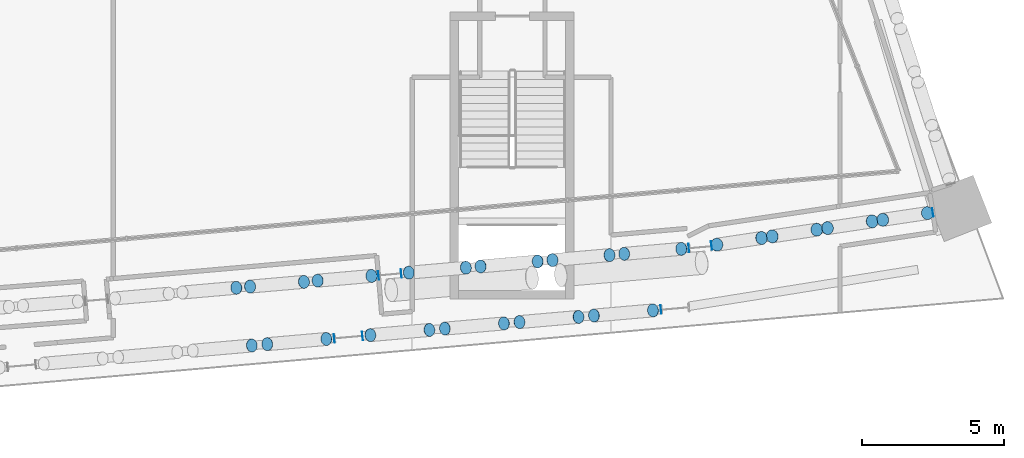
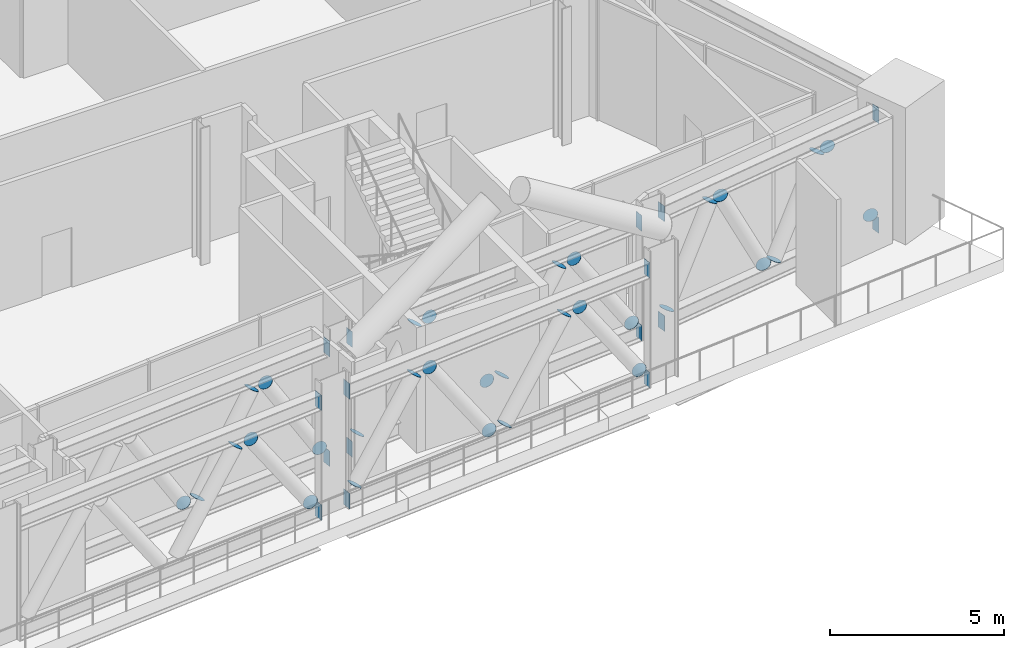
# One storey, part 32 of 39: 48 discrete accessories.
"""IFC4 building model written with IfcOpenShell, lengths in metres."""

import ifcopenshell
import ifcopenshell.guid

model = None  # the IFC model being written
_history = None  # IfcOwnerHistory: only IFC2X3 demands one
_inside = {}  # id of a spatial element -> (the spatial element, [elements in it])
_under = {}  # id of a project, library or spatial element -> (it, [spatial elements below it])
_declared = {}  # id of a project -> (the project, [libraries it declares])
_typed = {}  # id of a type object -> (the type object, [elements of that type])
_made_of = {}  # id of a material, layer set ... -> (it, [elements and type objects made of it])


def new_model(schema):
    """Start an empty IFC model of exactly this schema.

    Asked for "IFC4X3", IfcOpenShell would pick the latest addendum, in which some entities
    have other attributes; the version numbers below select the first issue.
    IFC2X3 requires an IfcOwnerHistory on every rooted entity: one is made here for all.
    """
    global model, _history
    if schema == "IFC4X3":
        model = ifcopenshell.file(schema_version=(4, 3, 0, 0))
    else:
        model = ifcopenshell.file(schema=schema)
    _inside.clear()
    _under.clear()
    _declared.clear()
    _typed.clear()
    _made_of.clear()
    _history = None
    if model.schema == "IFC2X3":
        org = make("IfcOrganization", Name="unknown")
        user = make(
            "IfcPersonAndOrganization",
            ThePerson=make("IfcPerson", FamilyName="unknown"),
            TheOrganization=org,
        )
        app = make(
            "IfcApplication",
            ApplicationDeveloper=org,
            Version="unknown",
            ApplicationFullName="unknown",
            ApplicationIdentifier="unknown",
        )
        _history = make(
            "IfcOwnerHistory",
            OwningUser=user,
            OwningApplication=app,
            ChangeAction="ADDED",
            CreationDate=0,
        )
    return model


def make(cls, **values):
    """One entity of the class cls with the attributes given. An attribute that is None is left unset."""
    return model.create_entity(
        cls, **{name: value for name, value in values.items() if value is not None}
    )


def rooted(cls, **values):
    """An entity with a GlobalId (a new one), such as an element, a storey or a relation."""
    return make(cls, GlobalId=ifcopenshell.guid.new(), OwnerHistory=_history, **values)


def si_unit(unit_type, name, prefix=None):
    """IfcSIUnit, for example si_unit("LENGTHUNIT", "METRE", prefix="MILLI")."""
    return make("IfcSIUnit", UnitType=unit_type, Prefix=prefix, Name=name)


def assignment(units):
    """IfcUnitAssignment: the units of a project."""
    return None if units is None else make("IfcUnitAssignment", Units=units)


def point(xyz):
    """IfcCartesianPoint."""
    return None if xyz is None else make("IfcCartesianPoint", Coordinates=xyz)


def direction(xyz):
    """IfcDirection."""
    return None if xyz is None else make("IfcDirection", DirectionRatios=xyz)


def frame(location, z_axis=None, x_axis=None):
    """IfcAxis2Placement3D, a coordinate frame: its origin and axes. An axis left out is left unset."""
    return make(
        "IfcAxis2Placement3D",
        Location=point(location),
        Axis=direction(z_axis),
        RefDirection=direction(x_axis),
    )


def frame_2d(location, x_axis=None):
    """IfcAxis2Placement2D, a coordinate frame in the plane: its origin and x axis."""
    return make(
        "IfcAxis2Placement2D", Location=point(location), RefDirection=direction(x_axis)
    )


def origin():
    """The frame at (0, 0, 0) with its axes left unset."""
    return frame((0.0, 0.0, 0.0))


def origin_2d():
    """The frame at (0, 0) in the plane with its x axis left unset."""
    return frame_2d((0.0, 0.0))


def place(relative_to, where):
    """IfcLocalPlacement: puts the frame where relative to a parent placement (None: the world)."""
    return make(
        "IfcLocalPlacement", PlacementRelTo=relative_to, RelativePlacement=where
    )


def context(
    kind, dimensions, precision=None, world=None, true_north=None, identifier=None
):
    """IfcGeometricRepresentationContext, for example the 3D "Model" context."""
    return make(
        "IfcGeometricRepresentationContext",
        ContextIdentifier=identifier,
        ContextType=kind,
        CoordinateSpaceDimension=dimensions,
        Precision=precision,
        WorldCoordinateSystem=world,
        TrueNorth=true_north,
    )


def subcontext(parent, identifier, kind, view, scale=None):
    """IfcGeometricRepresentationSubContext, for example "Body" below "Model"."""
    return make(
        "IfcGeometricRepresentationSubContext",
        ContextIdentifier=identifier,
        ContextType=kind,
        ParentContext=parent,
        TargetScale=scale,
        TargetView=view,
    )


def project(units=None, contexts=None):
    """IfcProject with its units and contexts."""
    return rooted(
        "IfcProject",
        Name="project",
        RepresentationContexts=contexts,
        UnitsInContext=assignment(units),
    )


def spatial(cls, under=None, at=None, **own):
    """A site, building, storey or space (cls), placed at a placement, below another one or the project."""
    s = rooted(cls, ObjectPlacement=at, **own)
    if under is not None:
        _under.setdefault(under.id(), (under, []))[1].append(s)
    return s


def profile(cls, at=None, kind="AREA", **sizes):
    """A parametric profile (cls). Its sizes go by their IFC names, for example OverallWidth=200.0."""
    return make(cls, ProfileType=kind, Position=at, **sizes)


def rectangle(**sizes):
    """IfcRectangleProfileDef."""
    return profile("IfcRectangleProfileDef", **sizes)


def circle(**sizes):
    """IfcCircleProfileDef."""
    return profile("IfcCircleProfileDef", **sizes)


def extrude(swept, where, along, depth):
    """IfcExtrudedAreaSolid: the profile swept, set in the frame where, extruded along a direction by depth."""
    return make(
        "IfcExtrudedAreaSolid",
        SweptArea=swept,
        Position=where,
        ExtrudedDirection=direction(along),
        Depth=depth,
    )


def shape(context_of_items, identifier, shape_type, items):
    """IfcShapeRepresentation: the items that make up one representation, for example the "Body"."""
    return make(
        "IfcShapeRepresentation",
        ContextOfItems=context_of_items,
        RepresentationIdentifier=identifier,
        RepresentationType=shape_type,
        Items=items,
    )


def material(Name=None, Category=None):
    """IfcMaterial."""
    return make("IfcMaterial", Name=Name, Category=Category)


def material_profile(
    of_material, cross_section, Name=None, Category=None, Priority=None
):
    """IfcMaterialProfile: a cross section and its material."""
    return make(
        "IfcMaterialProfile",
        Name=Name,
        Material=of_material,
        Profile=cross_section,
        Priority=Priority,
        Category=Category,
    )


def profile_set(profiles, Name=None, composite=None):
    """IfcMaterialProfileSet."""
    return make(
        "IfcMaterialProfileSet",
        Name=Name,
        MaterialProfiles=profiles,
        CompositeProfile=composite,
    )


def made_of(thing, what):
    """Note that an element or type object is made of a material, layer set ...; save() writes the relation."""
    if what is not None:
        _made_of.setdefault(what.id(), (what, []))[1].append(thing)
    return thing


def type_object(cls, material=None, **own):
    """A type object (cls), such as IfcWallType, which elements share."""
    return made_of(rooted(cls, **own), material)


def element(
    cls,
    number,
    at=None,
    inside=None,
    cuts=None,
    type_object=None,
    material=None,
    context=None,
    identifier="Body",
    shape_type=None,
    held_by="IfcProductDefinitionShape",
    body=None,
    shapes=None,
    **own,
):
    """One element of the class cls, such as IfcWall. Its Tag is "e" and its number.

    at: its placement. inside: the storey or other place that contains it. cuts: it is an
    opening in that element (IfcRelVoidsElement). A single representation is given by context,
    identifier, shape_type and body (its items); several are given by shapes. held_by: the class
    of the entity that holds the representations. save() writes the other relations.
    """
    e = rooted(cls, Tag="e%d" % number, ObjectPlacement=at, **own)
    if body is not None:
        shapes = [shape(context, identifier, shape_type, body)]
    if shapes is not None:
        e.Representation = make(held_by, Representations=shapes)
    if inside is not None:
        _inside.setdefault(inside.id(), (inside, []))[1].append(e)
    if cuts is not None:
        rooted(
            "IfcRelVoidsElement", RelatingBuildingElement=cuts, RelatedOpeningElement=e
        )
    if type_object is not None:
        _typed.setdefault(type_object.id(), (type_object, []))[1].append(e)
    return made_of(e, material)


def aggregate(whole, parts):
    """IfcRelAggregates: a whole, such as a stair, and the parts it consists of."""
    return rooted("IfcRelAggregates", RelatingObject=whole, RelatedObjects=parts)


def save(model, path):
    """Write the relations noted so far, then the file.

    IfcRelAggregates (storeys below a building ...), IfcRelContainedInSpatialStructure (elements
    in a storey), IfcRelDefinesByType, IfcRelAssociatesMaterial and IfcRelDeclares: one each for
    every whole, place, type object, material and project.
    """
    for whole, parts in _under.values():
        aggregate(whole, parts)
    for where, things in _inside.values():
        rooted(
            "IfcRelContainedInSpatialStructure",
            RelatedElements=things,
            RelatingStructure=where,
        )
    for kind, things in _typed.values():
        rooted("IfcRelDefinesByType", RelatedObjects=things, RelatingType=kind)
    for what, things in _made_of.values():
        rooted("IfcRelAssociatesMaterial", RelatedObjects=things, RelatingMaterial=what)
    for by, libraries in _declared.values():
        rooted("IfcRelDeclares", RelatingContext=by, RelatedDefinitions=libraries)
    model.write(path)


model = new_model("IFC4")

# Units and contexts
model_context = context("Model", 3, precision=1e-05, world=origin(), true_north=direction((0.0, 1.0)))
body_context = subcontext(model_context, "Body", "Model", "MODEL_VIEW")
ifc_project = project(units=[si_unit("LENGTHUNIT", "METRE"), si_unit("AREAUNIT", "SQUARE_METRE"), si_unit("VOLUMEUNIT", "CUBIC_METRE"), si_unit("PLANEANGLEUNIT", "RADIAN"), si_unit("MASSUNIT", "GRAM", prefix="KILO")], contexts=[model_context])

# Site, building, storey
site_placement = place(None, origin())
site = spatial("IfcSite", under=ifc_project, at=site_placement, CompositionType="ELEMENT")
building_placement = place(site_placement, origin())
building = spatial("IfcBuilding", under=site, at=building_placement, Name="Wharfspan Tower", CompositionType="ELEMENT")
storey_placement = place(building_placement, frame((0.0, 0.0, 91.899902)))
storey = spatial("IfcBuildingStorey", under=building, at=storey_placement, Name="L20", CompositionType="ELEMENT", Elevation=91.899902)

# Discrete accessories
ifc_material_1 = material(Name="Steel S460NH", Category="steel")
ifc_material_profile_1 = material_profile(ifc_material_1, circle(Radius=0.228516, at=origin_2d()))
ifc_profile_set_1 = profile_set([ifc_material_profile_1], Name="Steel S460NH")
discrete_accessory_type_1 = type_object("IfcDiscreteAccessoryType", Name="End plate CHS 457x16", PredefinedType="BRACKET", material=ifc_profile_set_1)
for number, where, z_axis, x_axis, name in (
    (1, (64.996582, 0.379639, 0.670654), (0.53155, 0.048323, -0.845647), (-0.090535, 0.995897, 1e-06), "End plate CHS 457x16"),
    (2, (65.47998, 0.421875, 0.662109), (0.53155, 0.048323, 0.845647), (-0.090535, 0.995897, -1e-06), "End plate CHS 457x16"),
    (3, (67.375488, 0.587646, 3.729736), (0.54259, 0.049326, 0.838548), (-0.090535, 0.995892, 0.0), "End plate CHS 457x16"),
    (4, (67.858887, 0.629883, 3.738037), (0.54259, 0.049326, -0.838548), (-0.090535, 0.995892, 0.0), "End plate CHS 457x16"),
    (5, (69.754395, 0.795898, 0.670654), (0.513879, 0.048941, -0.856465), (-0.094811, 0.995495, -1e-06), "End plate CHS 457x16"),
    (6, (71.067139, 0.910645, 0.66748), (0.559645, 0.048665, 0.827302), (-0.086627, 0.99624, -2e-06), "End plate CHS 457x16"),
    (7, (73.074707, 1.086182, 3.724365), (0.54259, 0.049326, 0.838548), (-0.090535, 0.995892, 0.0), "End plate CHS 457x16"),
    (8, (73.595459, 1.131836, 3.732666), (0.54259, 0.049326, -0.838548), (-0.090535, 0.995892, 0.0), "End plate CHS 457x16"),
    (9, (75.602783, 1.307617, 0.675781), (0.560143, 0.024354, -0.828038), (-0.043437, 0.999053, 0.0), "End plate CHS 457x16"),
    (10, (76.123779, 1.353027, 0.66748), (0.54259, 0.049326, 0.838548), (-0.090535, 0.995892, 0.0), "End plate CHS 457x16"),
    (11, (78.131104, 1.528809, 3.724365), (0.543086, 0.024686, 0.839314), (-0.045408, 0.998965, 0.0), "End plate CHS 457x16"),
    (12, (78.651855, 1.574219, 3.732666), (0.559645, 0.048665, -0.827302), (-0.086627, 0.99624, 2e-06), "End plate CHS 457x16"),
    (13, (80.659424, 1.75, 0.675781), (0.543086, 0.024686, -0.839314), (-0.045408, 0.998965, 0.0), "End plate CHS 457x16"),
    (14, (81.918213, 1.896973, 0.645264), (0.465496, 0.073499, 0.881993), (-0.155964, 0.987765, 1e-06), "End plate CHS 457x16"),
):
    element("IfcDiscreteAccessory", number, at=place(storey_placement, frame(where, z_axis=z_axis, x_axis=x_axis)), inside=storey, type_object=discrete_accessory_type_1, Name=name, PredefinedType="BRACKET", context=body_context, shape_type="SweptSolid", body=[
        extrude(circle(Radius=0.228516, at=origin_2d()), origin(), (0.0, 0.0, 1.0), 0.01001),
    ])
discrete_accessory_1_placement = place(storey_placement, frame((83.485352, 2.13208, 3.746094), z_axis=(0.455621, 0.07194, 0.887262), x_axis=(-0.155964, 0.987762, 1e-06)))
element("IfcDiscreteAccessory", 15, at=discrete_accessory_1_placement, inside=storey, type_object=discrete_accessory_type_1, Name="End plate CHS 457x16", PredefinedType="BRACKET", context=body_context, shape_type="SweptSolid", body=[
    extrude(circle(Radius=0.228516, at=origin_2d()), origin(), (0.0, 0.0, 1.0), 0.010254),
])
discrete_accessory_2_placement = place(storey_placement, frame((83.864014, 2.188965, 3.755127), z_axis=(0.436308, 0.072718, -0.896854), x_axis=(-0.164399, 0.986394, 0.0)))
element("IfcDiscreteAccessory", 16, at=discrete_accessory_2_placement, inside=storey, type_object=discrete_accessory_type_1, Name="End plate CHS 457x16", PredefinedType="BRACKET", context=body_context, shape_type="SweptSolid", body=[
    extrude(circle(Radius=0.228516, at=origin_2d()), origin(), (0.0, 0.0, 1.0), 0.01001),
])
discrete_accessory_3_placement = place(storey_placement, frame((85.431152, 2.424316, 0.654053), z_axis=(0.446663, 0.049629, -0.893325), x_axis=(-0.110431, 0.993883, 0.0)))
element("IfcDiscreteAccessory", 17, at=discrete_accessory_3_placement, inside=storey, type_object=discrete_accessory_type_1, Name="End plate CHS 457x16", PredefinedType="BRACKET", context=body_context, shape_type="SweptSolid", body=[
    extrude(circle(Radius=0.228516, at=origin_2d()), origin(), (0.0, 0.0, 1.0), 0.009766),
])
discrete_accessory_4_placement = place(storey_placement, frame((85.80957, 2.480957, 0.645264), z_axis=(0.465496, 0.073499, 0.881993), x_axis=(-0.155964, 0.987765, 1e-06)))
element("IfcDiscreteAccessory", 18, at=discrete_accessory_4_placement, inside=storey, type_object=discrete_accessory_type_1, Name="End plate CHS 457x16", PredefinedType="BRACKET", context=body_context, shape_type="SweptSolid", body=[
    extrude(circle(Radius=0.228516, at=origin_2d()), origin(), (0.0, 0.0, 1.0), 0.01001),
])
discrete_accessory_5_placement = place(storey_placement, frame((87.376709, 2.716309, 3.746094), z_axis=(0.455621, 0.07194, 0.887262), x_axis=(-0.155964, 0.987762, 1e-06)))
element("IfcDiscreteAccessory", 19, at=discrete_accessory_5_placement, inside=storey, type_object=discrete_accessory_type_1, Name="End plate CHS 457x16", PredefinedType="BRACKET", context=body_context, shape_type="SweptSolid", body=[
    extrude(circle(Radius=0.228516, at=origin_2d()), origin(), (0.0, 0.0, 1.0), 0.010254),
])
discrete_accessory_6_placement = place(storey_placement, frame((87.755371, 2.773193, 3.755127), z_axis=(0.43695, 0.04855, -0.898175), x_axis=(-0.110432, 0.993888, 0.0)))
element("IfcDiscreteAccessory", 20, at=discrete_accessory_6_placement, inside=storey, type_object=discrete_accessory_type_1, Name="End plate CHS 457x16", PredefinedType="BRACKET", context=body_context, shape_type="SweptSolid", body=[
    extrude(circle(Radius=0.228516, at=origin_2d()), origin(), (0.0, 0.0, 1.0), 0.01001),
])
for number, where, z_axis, x_axis, name in (
    (21, (89.32251, 3.008301, 0.654053), (0.445976, 0.074329, -0.891953), (-0.164398, 0.986392, 0.0), "End plate CHS 457x16"),
    (22, (65.541016, -1.652344, 3.721191), (0.571087, 0.04966, 0.819386), (-0.08663, 0.99624, 0.0), "End plate CHS 457x16"),
    (23, (66.086182, -1.604736, 3.729248), (0.571087, 0.04966, -0.819386), (-0.08663, 0.99624, 0.0), "End plate CHS 457x16"),
):
    element("IfcDiscreteAccessory", number, at=place(storey_placement, frame(where, z_axis=z_axis, x_axis=x_axis)), inside=storey, type_object=discrete_accessory_type_1, Name=name, PredefinedType="BRACKET", context=body_context, shape_type="SweptSolid", body=[
        extrude(circle(Radius=0.228516, at=origin_2d()), origin(), (0.0, 0.0, 1.0), 0.009766),
    ])
for number, where, z_axis, x_axis, name in (
    (24, (68.165039, -1.422852, 0.679199), (0.559645, 0.048665, -0.827302), (-0.086627, 0.99624, 2e-06), "End plate CHS 457x16"),
    (25, (69.714355, -1.287109, 0.670898), (0.559645, 0.048665, 0.827302), (-0.086627, 0.99624, -2e-06), "End plate CHS 457x16"),
):
    element("IfcDiscreteAccessory", number, at=place(storey_placement, frame(where, z_axis=z_axis, x_axis=x_axis)), inside=storey, type_object=discrete_accessory_type_1, Name=name, PredefinedType="BRACKET", context=body_context, shape_type="SweptSolid", body=[
        extrude(circle(Radius=0.228516, at=origin_2d()), origin(), (0.0, 0.0, 1.0), 0.01001),
    ])
discrete_accessory_7_placement = place(storey_placement, frame((71.793213, -1.105469, 3.721191), z_axis=(0.571087, 0.04966, 0.819386), x_axis=(-0.08663, 0.99624, 0.0)))
element("IfcDiscreteAccessory", 26, at=discrete_accessory_7_placement, inside=storey, type_object=discrete_accessory_type_1, Name="End plate CHS 457x16", PredefinedType="BRACKET", context=body_context, shape_type="SweptSolid", body=[
    extrude(circle(Radius=0.228516, at=origin_2d()), origin(), (0.0, 0.0, 1.0), 0.009766),
])
for number, where, z_axis, x_axis, name in (
    (27, (72.338135, -1.057617, 3.729248), (0.587466, 0.048956, -0.807766), (-0.083046, 0.996542, 0.0), "End plate CHS 457x16"),
    (28, (74.417236, -0.875732, 0.679199), (0.559645, 0.048665, -0.827302), (-0.086627, 0.99624, 2e-06), "End plate CHS 457x16"),
    (29, (74.962158, -0.828125, 0.670898), (0.559645, 0.048665, 0.827302), (-0.086627, 0.99624, -2e-06), "End plate CHS 457x16"),
):
    element("IfcDiscreteAccessory", number, at=place(storey_placement, frame(where, z_axis=z_axis, x_axis=x_axis)), inside=storey, type_object=discrete_accessory_type_1, Name=name, PredefinedType="BRACKET", context=body_context, shape_type="SweptSolid", body=[
        extrude(circle(Radius=0.228516, at=origin_2d()), origin(), (0.0, 0.0, 1.0), 0.01001),
    ])
for number, where, z_axis, x_axis, name in (
    (30, (77.041016, -0.64624, 3.721191), (0.571087, 0.04966, 0.819386), (-0.08663, 0.99624, 0.0), "End plate CHS 457x16"),
    (31, (77.586182, -0.598633, 3.729248), (0.571087, 0.04966, -0.819386), (-0.08663, 0.99624, 0.0), "End plate CHS 457x16"),
):
    element("IfcDiscreteAccessory", number, at=place(storey_placement, frame(where, z_axis=z_axis, x_axis=x_axis)), inside=storey, type_object=discrete_accessory_type_1, Name=name, PredefinedType="BRACKET", context=body_context, shape_type="SweptSolid", body=[
        extrude(circle(Radius=0.228516, at=origin_2d()), origin(), (0.0, 0.0, 1.0), 0.009766),
    ])
discrete_accessory_8_placement = place(storey_placement, frame((79.665039, -0.416748, 0.679199), z_axis=(0.559645, 0.048665, -0.827302), x_axis=(-0.086627, 0.99624, 2e-06)))
element("IfcDiscreteAccessory", 32, at=discrete_accessory_8_placement, inside=storey, type_object=discrete_accessory_type_1, Name="End plate CHS 457x16", PredefinedType="BRACKET", context=body_context, shape_type="SweptSolid", body=[
    extrude(circle(Radius=0.228516, at=origin_2d()), origin(), (0.0, 0.0, 1.0), 0.01001),
])
ifc_material_2 = material(Name="Steel S355J2", Category="steel")
ifc_material_profile_2 = material_profile(ifc_material_2, rectangle(XDim=0.300049, YDim=0.550049, at=origin_2d()))
ifc_profile_set_2 = profile_set([ifc_material_profile_2], Name="Steel S355J2")
discrete_accessory_type_2 = type_object("IfcDiscreteAccessoryType", Name="End plate HEB 550", PredefinedType="BRACKET", material=ifc_profile_set_2)
for number, where, z_axis, x_axis, name in (
    (33, (69.998535, 0.817139, 4.125), (0.995275, 0.0971, 0.0), (-0.0971, 0.995275, 0.0), "End plate HEB 550"),
    (34, (69.998535, 0.817139, 0.275146), (0.995275, 0.0971, 0.0), (-0.0971, 0.995275, 0.0), "End plate HEB 550"),
    (35, (70.799561, 0.887207, 4.125), (0.995275, 0.0971, 0.0), (-0.0971, 0.995275, 0.0), "End plate HEB 550"),
    (36, (80.922363, 1.772949, 4.125), (0.997334, 0.072976, 0.0), (-0.072976, 0.997334, 0.0), "End plate HEB 550"),
    (37, (70.799561, 0.887207, 0.275146), (0.995275, 0.0971, 0.0), (-0.0971, 0.995275, 0.0), "End plate HEB 550"),
    (38, (80.922363, 1.772949, 0.275146), (0.997334, 0.072976, 0.0), (-0.072976, 0.997334, 0.0), "End plate HEB 550"),
    (39, (81.721191, 1.867432, 4.125), (0.989461, 0.144799, 0.0), (-0.144799, 0.989461, 0.0), "End plate HEB 550"),
):
    element("IfcDiscreteAccessory", number, at=place(storey_placement, frame(where, z_axis=z_axis, x_axis=x_axis)), inside=storey, type_object=discrete_accessory_type_2, Name=name, PredefinedType="BRACKET", context=body_context, shape_type="SweptSolid", body=[
        extrude(rectangle(XDim=0.300049, YDim=0.550049, at=origin_2d()), origin(), (0.0, 0.0, 1.0), 0.01001),
    ])
discrete_accessory_9_placement = place(storey_placement, frame((89.51416, 3.037109, 4.125), z_axis=(0.988936, 0.14834, 0.0), x_axis=(-0.14834, 0.988936, 0.0)))
element("IfcDiscreteAccessory", 40, at=discrete_accessory_9_placement, inside=storey, type_object=discrete_accessory_type_2, Name="End plate HEB 550", PredefinedType="BRACKET", context=body_context, shape_type="SweptSolid", body=[
    extrude(rectangle(XDim=0.300049, YDim=0.550049, at=origin_2d()), origin(), (0.0, 0.0, 1.0), 0.009766),
])
discrete_accessory_10_placement = place(storey_placement, frame((81.721191, 1.867432, 0.275146), z_axis=(0.989461, 0.144799, 0.0), x_axis=(-0.144799, 0.989461, 0.0)))
element("IfcDiscreteAccessory", 41, at=discrete_accessory_10_placement, inside=storey, type_object=discrete_accessory_type_2, Name="End plate HEB 550", PredefinedType="BRACKET", context=body_context, shape_type="SweptSolid", body=[
    extrude(rectangle(XDim=0.300049, YDim=0.550049, at=origin_2d()), origin(), (0.0, 0.0, 1.0), 0.01001),
])
discrete_accessory_11_placement = place(storey_placement, frame((89.51416, 3.037109, 0.275146), z_axis=(0.988936, 0.14834, 0.0), x_axis=(-0.14834, 0.988936, 0.0)))
element("IfcDiscreteAccessory", 42, at=discrete_accessory_11_placement, inside=storey, type_object=discrete_accessory_type_2, Name="End plate HEB 550", PredefinedType="BRACKET", context=body_context, shape_type="SweptSolid", body=[
    extrude(rectangle(XDim=0.300049, YDim=0.550049, at=origin_2d()), origin(), (0.0, 0.0, 1.0), 0.009766),
])
for number, where, z_axis, x_axis, name in (
    (43, (68.44043, -1.398682, 4.125), (0.995275, 0.0971, 0.0), (-0.0971, 0.995275, 0.0), "End plate HEB 550"),
    (44, (68.44043, -1.398682, 0.275146), (0.995275, 0.0971, 0.0), (-0.0971, 0.995275, 0.0), "End plate HEB 550"),
    (45, (69.43457, -1.311768, 4.125), (0.995275, 0.0971, 0.0), (-0.0971, 0.995275, 0.0), "End plate HEB 550"),
    (46, (79.94043, -0.392578, 4.125), (0.995275, 0.0971, 0.0), (-0.0971, 0.995275, 0.0), "End plate HEB 550"),
    (47, (69.43457, -1.311768, 0.275146), (0.995275, 0.0971, 0.0), (-0.0971, 0.995275, 0.0), "End plate HEB 550"),
    (48, (79.94043, -0.392578, 0.275146), (0.995275, 0.0971, 0.0), (-0.0971, 0.995275, 0.0), "End plate HEB 550"),
):
    element("IfcDiscreteAccessory", number, at=place(storey_placement, frame(where, z_axis=z_axis, x_axis=x_axis)), inside=storey, type_object=discrete_accessory_type_2, Name=name, PredefinedType="BRACKET", context=body_context, shape_type="SweptSolid", body=[
        extrude(rectangle(XDim=0.300049, YDim=0.550049, at=origin_2d()), origin(), (0.0, 0.0, 1.0), 0.01001),
    ])

save(model, "model.ifc")
